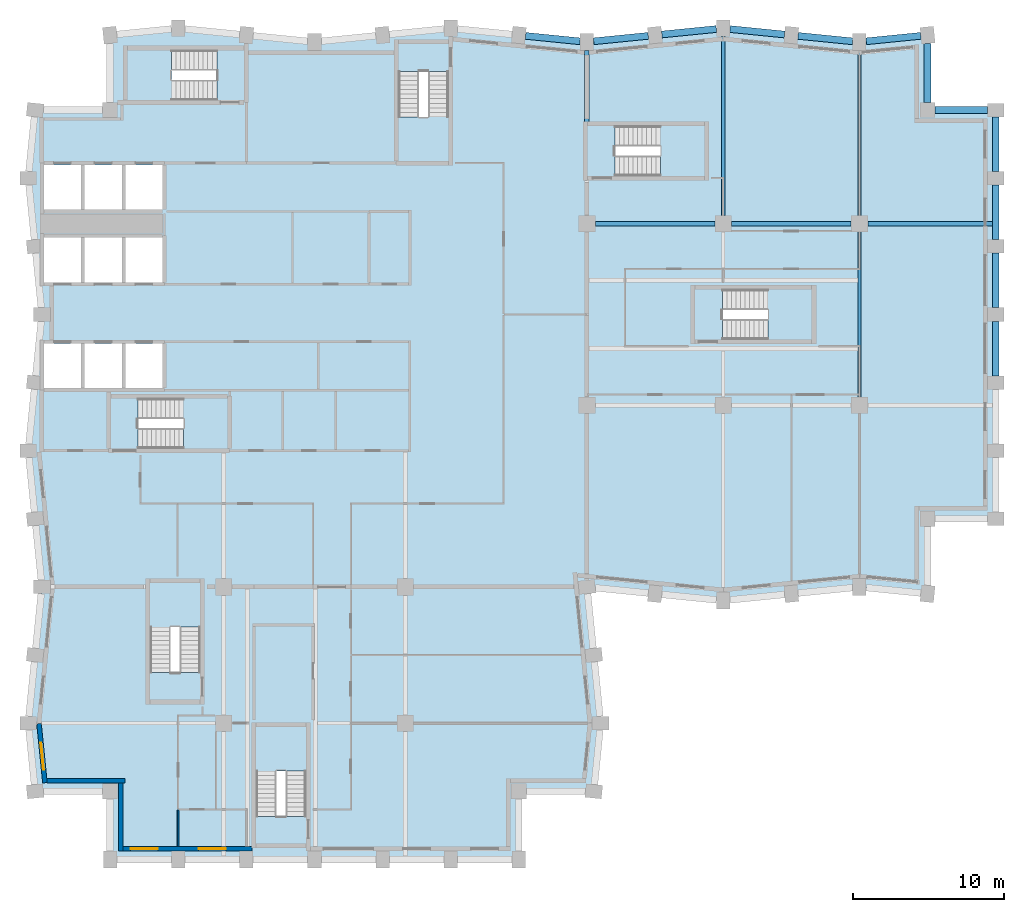
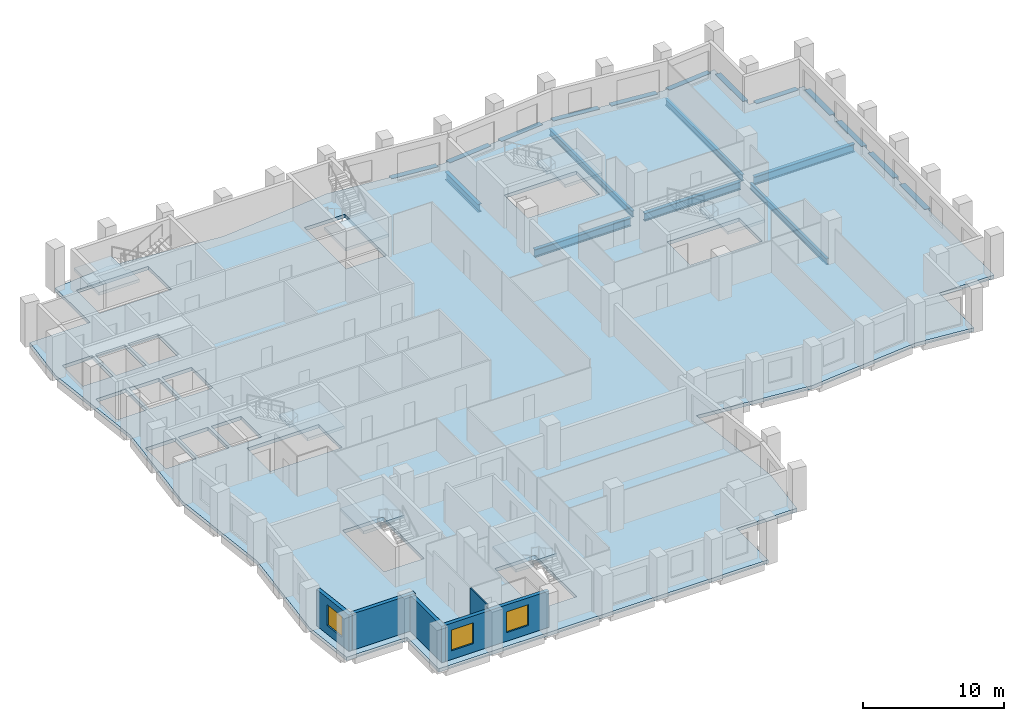
# One storey, part 2 of 10: 19 beams, 8 slabs, 5 walls, 3 windows, 3 openings, 7 elements without a shape of their own.
"""IFC4 building model written with IfcOpenShell, lengths in metres."""

from ifc_helpers import new_model, si_unit, direction, frame, frame_2d, origin, origin_2d, place, context, subcontext, project, spatial, polyline, rectangle, i_section, outline, extrude, material, layer, layer_set, material_profile, profile_set, type_object, element, fill, aggregate, save


model = new_model("IFC4")

# Units and contexts
model_context = context("Model", 3, precision=1e-05, world=origin(), true_north=direction((0.0, 1.0)))
body_context = subcontext(model_context, "Body", "Model", "MODEL_VIEW")
ifc_project = project(units=[si_unit("LENGTHUNIT", "METRE"), si_unit("AREAUNIT", "SQUARE_METRE"), si_unit("VOLUMEUNIT", "CUBIC_METRE"), si_unit("PLANEANGLEUNIT", "RADIAN"), si_unit("MASSUNIT", "GRAM", prefix="KILO")], contexts=[model_context])

# Site, building, storey
site_placement = place(None, origin())
site = spatial("IfcSite", under=ifc_project, at=site_placement, CompositionType="ELEMENT")
building_placement = place(site_placement, origin())
building = spatial("IfcBuilding", under=site, at=building_placement, Name="Brondeck Convention Tower", CompositionType="ELEMENT")
storey_placement = place(building_placement, frame((0.0, 0.0, 162.39990234375)))
storey = spatial("IfcBuildingStorey", under=building, at=storey_placement, Name="L39", CompositionType="ELEMENT", Elevation=162.39990234375)

# Beams
ifc_material_1 = material(Name="Steel S355", Category="steel")
ifc_material_profile_1 = material_profile(ifc_material_1, i_section(OverallWidth=0.2099609375, OverallDepth=0.550048828125, WebThickness=0.010986328125, FlangeThickness=0.01708984375, FilletRadius=0.02392578125, at=origin_2d()), Name="IPE 550")
ifc_profile_set_1 = profile_set([ifc_material_profile_1], Name="Steel S355")
beam_type_1 = type_object("IfcBeamType", Name="Floor beam IPE 550", PredefinedType="BEAM", material=ifc_profile_set_1)
beam_1_placement = place(storey_placement, frame((45.0, 51.550048828125, -0.574951171875), z_axis=(0.0, 1.0, 0.0), x_axis=(-1.0, 0.0, 0.0)))
element("IfcBeam", 1, at=beam_1_placement, inside=storey, type_object=beam_type_1, Name="STR-FB-L39-002", PredefinedType="BEAM", context=body_context, shape_type="SweptSolid", body=[
    extrude(i_section(OverallWidth=0.2099609375, OverallDepth=0.550048828125, WebThickness=0.010986328125, FlangeThickness=0.01708984375, FilletRadius=0.02392578125, at=origin_2d()), origin(), (0.0, 0.0, 1.0), 11.800048828125),
])
for number, where, z_axis, x_axis, name in (
    (2, (54.0, 39.550048828125, -0.574951171875), (0.0, 1.0, 0.0), (-1.0, 0.0, 0.0), "STR-FB-L39-004"),
    (3, (54.0, 51.550048828125, -0.574951171875), (0.0, 1.0, 0.0), (-1.0, 0.0, 0.0), "STR-FB-L39-005"),
):
    element("IfcBeam", number, at=place(storey_placement, frame(where, z_axis=z_axis, x_axis=x_axis)), inside=storey, type_object=beam_type_1, Name=name, PredefinedType="BEAM", context=body_context, shape_type="SweptSolid", body=[
        extrude(i_section(OverallWidth=0.2099609375, OverallDepth=0.550048828125, WebThickness=0.010986328125, FlangeThickness=0.01708984375, FilletRadius=0.02392578125, at=origin_2d()), origin(), (0.0, 0.0, 1.0), 10.89990234375),
    ])
ifc_material_profile_2 = material_profile(ifc_material_1, i_section(OverallWidth=0.300048828125, OverallDepth=0.699951171875, WebThickness=0.01708984375, FlangeThickness=0.031982421875, FilletRadius=0.027099609375, at=origin_2d()), Name="HEB 700")
ifc_profile_set_2 = profile_set([ifc_material_profile_2], Name="Steel S355")
beam_type_2 = type_object("IfcBeamType", Name="Girder HEB 700", PredefinedType="BEAM", material=ifc_profile_set_2)
for number, where, z_axis, x_axis, name in (
    (4, (36.550048828125, 51.0, -0.64990234375), (1.0, 0.0, 0.0), (0.0, 1.0, 0.0), "STR-GR-L39-004"),
    (5, (45.550048828125, 51.0, -0.64990234375), (1.0, 0.0, 0.0), (0.0, 1.0, 0.0), "STR-GR-L39-005"),
):
    element("IfcBeam", number, at=place(storey_placement, frame(where, z_axis=z_axis, x_axis=x_axis)), inside=storey, type_object=beam_type_2, Name=name, PredefinedType="BEAM", context=body_context, shape_type="SweptSolid", body=[
        extrude(i_section(OverallWidth=0.300048828125, OverallDepth=0.699951171875, WebThickness=0.01708984375, FlangeThickness=0.031982421875, FilletRadius=0.027099609375, at=origin_2d()), origin(), (0.0, 0.0, 1.0), 7.89990234375),
    ])
beam_2_placement = place(storey_placement, frame((54.550048828125, 51.0, -0.64990234375), z_axis=(1.0, 0.0, 0.0), x_axis=(0.0, 1.0, 0.0)))
element("IfcBeam", 6, at=beam_2_placement, inside=storey, type_object=beam_type_2, Name="STR-GR-L39-006", PredefinedType="BEAM", context=body_context, shape_type="SweptSolid", body=[
    extrude(i_section(OverallWidth=0.300048828125, OverallDepth=0.699951171875, WebThickness=0.01708984375, FlangeThickness=0.031982421875, FilletRadius=0.027099609375, at=origin_2d()), origin(), (0.0, 0.0, 1.0), 8.224853515625),
])
beam_3_placement = place(storey_placement, frame((36.0, 57.719970703125, -0.64990234375), z_axis=(0.0, 1.0, 0.0), x_axis=(-1.0, 0.0, 0.0)))
element("IfcBeam", 7, at=beam_3_placement, inside=storey, type_object=beam_type_2, Name="STR-GR-L39-010", PredefinedType="BEAM", context=body_context, shape_type="SweptSolid", body=[
    extrude(i_section(OverallWidth=0.300048828125, OverallDepth=0.699951171875, WebThickness=0.01708984375, FlangeThickness=0.031982421875, FilletRadius=0.027099609375, at=origin_2d()), origin(), (0.0, 0.0, 1.0), 4.72998046875),
])
ifc_material_2 = material(Name="Concrete C70/85", Category="concrete")
ifc_material_profile_3 = material_profile(ifc_material_2, rectangle(XDim=0.449951171875, YDim=0.64990234375, at=origin_2d()), Name="Precast spandrel 450x650 Concrete C70/85")
ifc_profile_set_3 = profile_set([ifc_material_profile_3], Name="Concrete C70/85")
beam_type_3 = type_object("IfcBeamType", Name="Precast spandrel 450x650 Concrete C70/85", PredefinedType="SPANDREL", material=ifc_profile_set_3)
for number, where, z_axis, x_axis, name in (
    (8, (63.0, 40.949951171875, -0.324951171875), (0.0, 1.0, 0.0), (-1.0, 0.0, 0.0), "STR-SP-L39-021"),
    (9, (63.0, 45.449951171875, -0.324951171875), (0.0, 1.0, 0.0), (-1.0, 0.0, 0.0), "STR-SP-L39-022"),
    (10, (63.0, 49.949951171875, -0.324951171875), (0.0, 1.0, 0.0), (-1.0, 0.0, 0.0), "STR-SP-L39-023"),
    (11, (63.0, 54.449951171875, -0.324951171875), (0.0, 1.0, 0.0), (-1.0, 0.0, 0.0), "STR-SP-L39-024"),
):
    element("IfcBeam", number, at=place(storey_placement, frame(where, z_axis=z_axis, x_axis=x_axis)), inside=storey, type_object=beam_type_3, Name=name, PredefinedType="SPANDREL", context=body_context, shape_type="SweptSolid", body=[
        extrude(rectangle(XDim=0.449951171875, YDim=0.64990234375, at=origin_2d()), origin(), (0.0, 0.0, 1.0), 3.60009765625),
    ])
beam_4_placement = place(storey_placement, frame((62.449951171875, 58.5, -0.324951171875), z_axis=(-1.0, 0.0, 0.0), x_axis=(0.0, -1.0, 0.0)))
element("IfcBeam", 12, at=beam_4_placement, inside=storey, type_object=beam_type_3, Name="STR-SP-L39-025", PredefinedType="SPANDREL", context=body_context, shape_type="SweptSolid", body=[
    extrude(rectangle(XDim=0.449951171875, YDim=0.64990234375, at=origin_2d()), origin(), (0.0, 0.0, 1.0), 3.449951171875),
])
beam_5_placement = place(storey_placement, frame((58.5, 59.0, -0.324951171875), z_axis=(0.0, 1.0, 0.0), x_axis=(-1.0, 0.0, 0.0)))
element("IfcBeam", 13, at=beam_5_placement, inside=storey, type_object=beam_type_3, Name="STR-SP-L39-026", PredefinedType="SPANDREL", context=body_context, shape_type="SweptSolid", body=[
    extrude(rectangle(XDim=0.449951171875, YDim=0.64990234375, at=origin_2d()), origin(), (0.0, 0.0, 1.0), 3.897216796875),
])
for number, where, z_axis, x_axis, name in (
    (14, (58.05224609375, 63.4052734375, -0.324951171875), (-0.995033851182, -0.099537103649, 0.0), (0.099537103649, -0.995033851182, 0.0), "STR-SP-L39-027"),
    (15, (53.550048828125, 63.044921875, -0.324951171875), (-0.995033851182, 0.099537103649, 0.0), (-0.099537103649, -0.995033851182, 0.0), "STR-SP-L39-028"),
    (16, (49.05224609375, 63.494873046875, -0.324951171875), (-0.995040528141, 0.099470334057, 0.0), (-0.099470334057, -0.995040528141, 0.0), "STR-SP-L39-029"),
    (17, (44.550048828125, 63.85498046875, -0.324951171875), (-0.995040528141, -0.099470334057, 0.0), (0.099470334057, -0.995040528141, 0.0), "STR-SP-L39-030"),
    (18, (40.05224609375, 63.4052734375, -0.324951171875), (-0.995033851182, -0.099537103649, 0.0), (0.099537103649, -0.995033851182, 0.0), "STR-SP-L39-031"),
    (19, (35.550048828125, 63.044921875, -0.324951171875), (-0.995033851182, 0.099537103649, 0.0), (-0.099537103649, -0.995033851182, 0.0), "STR-SP-L39-032"),
):
    element("IfcBeam", number, at=place(storey_placement, frame(where, z_axis=z_axis, x_axis=x_axis)), inside=storey, type_object=beam_type_3, Name=name, PredefinedType="SPANDREL", context=body_context, shape_type="SweptSolid", body=[
        extrude(rectangle(XDim=0.449951171875, YDim=0.64990234375, at=origin_2d()), origin(), (0.0, 0.0, 1.0), 3.620361328125),
    ])

# Slab
ifc_material_3 = material(Name="Concrete C35/45", Category="concrete")
ifc_layer_1 = layer(ifc_material_3, 0.300048828125)
ifc_layer_set_1 = layer_set([ifc_layer_1], Name="Composite floor slab 300")
slab_type_1 = type_object("IfcSlabType", Name="Composite floor slab 300", PredefinedType="FLOOR", material=ifc_layer_set_1)
slab_1_placement = place(storey_placement, frame((0.0, 0.0, -0.2998046875)))
element("IfcSlab", 20, at=slab_1_placement, inside=storey, type_object=slab_type_1, Name="STR-SL-L39", PredefinedType="FLOOR", context=body_context, shape_type="SweptSolid", body=[
    extrude(outline(polyline([(4.5, 13.5), (-0.449951171875, 13.5), (-0.89990234375, 18.0), (0.0, 27.0), (-0.89990234375, 36.0), (0.0, 45.0), (-0.89990234375, 54.0), (-0.449951171875, 58.5), (4.5, 58.5), (4.5, 63.449951171875), (9.0, 63.89990234375), (18.0, 63.0), (27.0, 63.89990234375), (36.0, 63.0), (45.0, 63.89990234375), (54.0, 63.0), (58.5, 63.449951171875), (58.5, 58.5), (63.0, 58.5), (63.0, 31.5), (58.5, 31.5), (58.5, 26.550048828125), (54.0, 27.0), (45.0, 26.10009765625), (36.0, 27.0), (36.89990234375, 18.0), (36.449951171875, 13.5), (31.5, 13.5), (31.5, 9.0), (4.5, 9.0), (4.5, 13.5)]), holes=[polyline([(2.574951171875, 40.125), (2.574951171875, 43.074951171875), (0.125, 43.074951171875), (0.125, 40.125), (2.574951171875, 40.125)]), polyline([(5.27490234375, 40.125), (5.27490234375, 43.074951171875), (2.824951171875, 43.074951171875), (2.824951171875, 40.125), (5.27490234375, 40.125)]), polyline([(7.97509765625, 40.125), (7.97509765625, 43.074951171875), (5.52490234375, 43.074951171875), (5.52490234375, 40.125), (7.97509765625, 40.125)]), polyline([(2.574951171875, 47.125), (2.574951171875, 50.074951171875), (0.125, 50.074951171875), (0.125, 47.125), (2.574951171875, 47.125)]), polyline([(5.27490234375, 47.125), (5.27490234375, 50.074951171875), (2.824951171875, 50.074951171875), (2.824951171875, 47.125), (5.27490234375, 47.125)]), polyline([(7.97509765625, 47.125), (7.97509765625, 50.074951171875), (5.52490234375, 50.074951171875), (5.52490234375, 47.125), (7.97509765625, 47.125)]), polyline([(2.574951171875, 51.925048828125), (2.574951171875, 54.875), (0.125, 54.875), (0.125, 51.925048828125), (2.574951171875, 51.925048828125)]), polyline([(5.27490234375, 51.925048828125), (5.27490234375, 54.875), (2.824951171875, 54.875), (2.824951171875, 51.925048828125), (5.27490234375, 51.925048828125)]), polyline([(17.447998046875, 17.748046875), (14.152099609375, 17.748046875), (14.152099609375, 11.85205078125), (17.447998046875, 11.85205078125), (17.447998046875, 17.748046875)]), polyline([(10.447998046875, 27.248046875), (7.152099609375, 27.248046875), (7.152099609375, 21.35205078125), (10.447998046875, 21.35205078125), (10.447998046875, 27.248046875)]), polyline([(12.248046875, 36.152099609375), (12.248046875, 39.447998046875), (6.35205078125, 39.447998046875), (6.35205078125, 36.152099609375), (12.248046875, 36.152099609375)]), polyline([(50.847900390625, 43.35205078125), (50.847900390625, 46.64794921875), (44.951904296875, 46.64794921875), (44.951904296875, 43.35205078125), (50.847900390625, 43.35205078125)]), polyline([(7.97509765625, 51.925048828125), (7.97509765625, 54.875), (5.52490234375, 54.875), (5.52490234375, 51.925048828125), (7.97509765625, 51.925048828125)]), polyline([(43.748046875, 54.152099609375), (43.748046875, 57.447998046875), (37.85205078125, 57.447998046875), (37.85205078125, 54.152099609375), (43.748046875, 54.152099609375)]), polyline([(23.552001953125, 55.152099609375), (26.847900390625, 55.152099609375), (26.847900390625, 61.048095703125), (23.552001953125, 61.048095703125), (23.552001953125, 55.152099609375)]), polyline([(5.652099609375, 62.447998046875), (5.652099609375, 59.152099609375), (11.548095703125, 59.152099609375), (11.548095703125, 62.447998046875), (5.652099609375, 62.447998046875)])]), origin(), (0.0, 0.0, 1.0), 0.2998046875),
])

# Stair, slab
ifc_material_4 = material(Name="Precast concrete C50/60", Category="concrete")
stair_type = type_object("IfcStairType", Name="Core stair 22 risers 172.73 mm riser 300 mm going 1350 wide", PredefinedType="HALF_TURN_STAIR", material=ifc_material_4)
stair_1_placement = place(storey_placement, origin())
stair_1 = element("IfcStair", 21, at=stair_1_placement, inside=storey, type_object=stair_type, Name="ST-1 L39 stair", PredefinedType="HALF_TURN_STAIR")
ifc_layer_2 = layer(ifc_material_4, 0.25)
ifc_layer_set_2 = layer_set([ifc_layer_2], Name="Core stair landing 250 Precast concrete C50/60")
slab_type_2 = type_object("IfcSlabType", Name="Core stair landing 250 Precast concrete C50/60", PredefinedType="LANDING", material=ifc_layer_set_2)
slab_2_placement = place(storey_placement, frame((0.0, 0.0, 1.650146484375)))
slab_2 = element("IfcSlab", 22, at=slab_2_placement, type_object=slab_type_2, Name="ST-1 landing 1", PredefinedType="LANDING", context=body_context, shape_type="SweptSolid", body=[
    extrude(outline(polyline([(9.347900390625, 37.5), (9.35009765625, 37.5), (9.35009765625, 38.10009765625), (9.050048828125, 38.10009765625), (9.050048828125, 39.570068359375), (12.3701171875, 39.570068359375), (12.3701171875, 36.030029296875), (9.347900390625, 36.030029296875), (9.347900390625, 37.5)])), origin(), (0.0, 0.0, 1.0), 0.25),
])
aggregate(stair_1, [slab_2])

stair_2_placement = place(storey_placement, origin())
stair_2 = element("IfcStair", 23, at=stair_2_placement, inside=storey, type_object=stair_type, Name="ST-2 L39 stair", PredefinedType="HALF_TURN_STAIR")
slab_3_placement = place(storey_placement, frame((0.0, 0.0, 1.650146484375)))
slab_3 = element("IfcSlab", 24, at=slab_3_placement, type_object=slab_type_2, Name="ST-2 landing 1", PredefinedType="LANDING", context=body_context, shape_type="SweptSolid", body=[
    extrude(outline(polyline([(23.429931640625, 58.052001953125), (24.89990234375, 58.052001953125), (24.89990234375, 58.050048828125), (25.5, 58.050048828125), (25.5, 58.35009765625), (26.969970703125, 58.35009765625), (26.969970703125, 55.030029296875), (23.429931640625, 55.030029296875), (23.429931640625, 58.052001953125)])), origin(), (0.0, 0.0, 1.0), 0.25),
])
aggregate(stair_2, [slab_3])

stair_3_placement = place(storey_placement, origin())
stair_3 = element("IfcStair", 25, at=stair_3_placement, inside=storey, type_object=stair_type, Name="ST-3 L39 stair", PredefinedType="HALF_TURN_STAIR")
slab_4_placement = place(storey_placement, frame((0.0, 0.0, 1.650146484375)))
slab_4 = element("IfcSlab", 26, at=slab_4_placement, type_object=slab_type_2, Name="ST-3 landing 1", PredefinedType="LANDING", context=body_context, shape_type="SweptSolid", body=[
    extrude(outline(polyline([(8.85009765625, 60.5), (8.85009765625, 59.030029296875), (5.530029296875, 59.030029296875), (5.530029296875, 62.570068359375), (8.552001953125, 62.570068359375), (8.552001953125, 61.10009765625), (8.550048828125, 61.10009765625), (8.550048828125, 60.5), (8.85009765625, 60.5)])), origin(), (0.0, 0.0, 1.0), 0.25),
])
aggregate(stair_3, [slab_4])

stair_4_placement = place(storey_placement, origin())
stair_4 = element("IfcStair", 27, at=stair_4_placement, inside=storey, type_object=stair_type, Name="ST-AE L39 stair", PredefinedType="HALF_TURN_STAIR")
slab_5_placement = place(storey_placement, frame((0.0, 0.0, 1.650146484375)))
slab_5 = element("IfcSlab", 28, at=slab_5_placement, type_object=slab_type_2, Name="ST-AE landing 1", PredefinedType="LANDING", context=body_context, shape_type="SweptSolid", body=[
    extrude(outline(polyline([(40.847900390625, 55.5), (40.85009765625, 55.5), (40.85009765625, 56.10009765625), (40.550048828125, 56.10009765625), (40.550048828125, 57.570068359375), (43.8701171875, 57.570068359375), (43.8701171875, 54.030029296875), (40.847900390625, 54.030029296875), (40.847900390625, 55.5)])), origin(), (0.0, 0.0, 1.0), 0.25),
])
aggregate(stair_4, [slab_5])

stair_5_placement = place(storey_placement, origin())
stair_5 = element("IfcStair", 29, at=stair_5_placement, inside=storey, type_object=stair_type, Name="ST-BE L39 stair", PredefinedType="HALF_TURN_STAIR")
slab_6_placement = place(storey_placement, frame((0.0, 0.0, 1.650146484375)))
slab_6 = element("IfcSlab", 30, at=slab_6_placement, type_object=slab_type_2, Name="ST-BE landing 1", PredefinedType="LANDING", context=body_context, shape_type="SweptSolid", body=[
    extrude(outline(polyline([(7.030029296875, 24.050048828125), (7.030029296875, 27.3701171875), (10.570068359375, 27.3701171875), (10.570068359375, 24.347900390625), (9.10009765625, 24.347900390625), (9.10009765625, 24.35009765625), (8.5, 24.35009765625), (8.5, 24.050048828125), (7.030029296875, 24.050048828125)])), origin(), (0.0, 0.0, 1.0), 0.25),
])
aggregate(stair_5, [slab_6])

stair_6_placement = place(storey_placement, origin())
stair_6 = element("IfcStair", 31, at=stair_6_placement, inside=storey, type_object=stair_type, Name="ST-AF L39 stair", PredefinedType="HALF_TURN_STAIR")
slab_7_placement = place(storey_placement, frame((0.0, 0.0, 1.650146484375)))
slab_7 = element("IfcSlab", 32, at=slab_7_placement, type_object=slab_type_2, Name="ST-AF landing 1", PredefinedType="LANDING", context=body_context, shape_type="SweptSolid", body=[
    extrude(outline(polyline([(47.947998046875, 44.699951171875), (47.949951171875, 44.699951171875), (47.949951171875, 45.300048828125), (47.64990234375, 45.300048828125), (47.64990234375, 46.77001953125), (50.969970703125, 46.77001953125), (50.969970703125, 43.22998046875), (47.947998046875, 43.22998046875), (47.947998046875, 44.699951171875)])), origin(), (0.0, 0.0, 1.0), 0.25),
])
aggregate(stair_6, [slab_7])

stair_7_placement = place(storey_placement, origin())
stair_7 = element("IfcStair", 33, at=stair_7_placement, inside=storey, type_object=stair_type, Name="ST-BF L39 stair", PredefinedType="HALF_TURN_STAIR")
slab_8_placement = place(storey_placement, frame((0.0, 0.0, 1.650146484375)))
slab_8 = element("IfcSlab", 34, at=slab_8_placement, type_object=slab_type_2, Name="ST-BF landing 1", PredefinedType="LANDING", context=body_context, shape_type="SweptSolid", body=[
    extrude(outline(polyline([(14.030029296875, 14.550048828125), (14.030029296875, 17.8701171875), (17.570068359375, 17.8701171875), (17.570068359375, 14.847900390625), (16.10009765625, 14.847900390625), (16.10009765625, 14.85009765625), (15.5, 14.85009765625), (15.5, 14.550048828125), (14.030029296875, 14.550048828125)])), origin(), (0.0, 0.0, 1.0), 0.25),
])
aggregate(stair_7, [slab_8])

# Wall, openings, windows
ifc_material_5 = material(Name="Precast concrete C50/60 bronze finish", Category="concrete")
ifc_layer_3 = layer(ifc_material_5, 0.070068359375, Name="Bronze precast facing")
ifc_material_6 = material(Name="Mineral wool")
ifc_layer_4 = layer(ifc_material_6, 0.159912109375, Name="Insulation")
ifc_layer_5 = layer(ifc_material_3, 0.070068359375, Name="Backing")
ifc_layer_set_3 = layer_set([ifc_layer_3, ifc_layer_4, ifc_layer_5], Name="External infill wall, precast concrete C50/60 bronze facing")
wall_type_1 = type_object("IfcWallType", Name="External infill wall, precast concrete C50/60 bronze facing", PredefinedType="SOLIDWALL", material=ifc_layer_set_3)
wall_1_placement = place(storey_placement, frame((13.860107421875, 9.699951171875, 0.0), z_axis=(0.0, 0.0, 1.0), x_axis=(-1.0, 0.0, 0.0)))
wall_1 = element("IfcWall", 35, at=wall_1_placement, inside=storey, type_object=wall_type_1, Name="ENV-EW-L39-P1-B-S9-01", PredefinedType="SOLIDWALL", context=body_context, shape_type="SweptSolid", body=[
    extrude(rectangle(XDim=8.510009765625, YDim=0.300048828125, at=frame_2d((4.2548828125, 0.0))), origin(), (0.0, 0.0, 1.0), 3.150146484375),
])
opening_1_placement = place(wall_1_placement, frame((1.7099609375, 0.0, 0.75)))
opening_1 = element("IfcOpeningElement", 36, at=opening_1_placement, cuts=wall_1, Name="Opening W10", PredefinedType="OPENING", context=body_context, shape_type="SweptSolid", body=[
    extrude(rectangle(XDim=1.800048828125, YDim=1.800048828125, at=frame_2d((0.89990234375, 0.89990234375))), frame((0.0, 0.159912109375, 0.0), z_axis=(0.0, -1.0, 0.0), x_axis=(1.0, 0.0, 0.0)), (0.0, 0.0, 1.0), 0.320068359375),
])
opening_2_placement = place(wall_1_placement, frame((6.2099609375, 0.0, 0.75)))
opening_2 = element("IfcOpeningElement", 37, at=opening_2_placement, cuts=wall_1, Name="Opening W10", PredefinedType="OPENING", context=body_context, shape_type="SweptSolid", body=[
    extrude(rectangle(XDim=1.800048828125, YDim=1.800048828125, at=frame_2d((0.89990234375, 0.89990234375))), frame((0.0, 0.159912109375, 0.0), z_axis=(0.0, -1.0, 0.0), x_axis=(1.0, 0.0, 0.0)), (0.0, 0.0, 1.0), 0.320068359375),
])
ifc_material_7 = material(Name="Bronze tinted double glazing", Category="glass")
window_type = type_object("IfcWindowType", Name="Punched window, bronze tinted", PartitioningType="SINGLE_PANEL", PredefinedType="WINDOW", material=ifc_material_7)
window_1_placement = place(opening_1_placement, origin())
window_1 = element("IfcWindow", 38, at=window_1_placement, inside=storey, type_object=window_type, Name="ENV-WN-L39-P1-B-S9-02", OverallHeight=1.800048828125, OverallWidth=1.800048828125, PartitioningType="SINGLE_PANEL", PredefinedType="WINDOW", context=body_context, shape_type="SweptSolid", body=[
    extrude(rectangle(XDim=1.800048828125, YDim=1.800048828125, at=frame_2d((0.89990234375, 0.89990234375))), frame((0.0, 0.030029296875, 0.0), z_axis=(0.0, -1.0, 0.0), x_axis=(1.0, 0.0, 0.0)), (0.0, 0.0, 1.0), 0.06005859375),
])
fill(opening_1, window_1)
window_2_placement = place(opening_2_placement, origin())
window_2 = element("IfcWindow", 39, at=window_2_placement, inside=storey, type_object=window_type, Name="ENV-WN-L39-P1-B-S9-01", OverallHeight=1.800048828125, OverallWidth=1.800048828125, PartitioningType="SINGLE_PANEL", PredefinedType="WINDOW", context=body_context, shape_type="SweptSolid", body=[
    extrude(rectangle(XDim=1.800048828125, YDim=1.800048828125, at=frame_2d((0.89990234375, 0.89990234375))), frame((0.0, 0.030029296875, 0.0), z_axis=(0.0, -1.0, 0.0), x_axis=(1.0, 0.0, 0.0)), (0.0, 0.0, 1.0), 0.06005859375),
])
fill(opening_2, window_2)

# Wall, opening, window
wall_2_placement = place(storey_placement, frame((0.197021484375, 14.06494140625, 0.0), z_axis=(0.0, 0.0, 1.0), x_axis=(-0.099528354722, 0.995034726332, 0.0)))
wall_2 = element("IfcWall", 40, at=wall_2_placement, inside=storey, type_object=wall_type_1, Name="ENV-EW-L39-P1-B-W-10", PredefinedType="SOLIDWALL", context=body_context, shape_type="SweptSolid", body=[
    extrude(rectangle(XDim=3.9248046875, YDim=0.300048828125, at=frame_2d((1.96240234375, 0.0))), origin(), (0.0, 0.0, 1.0), 3.150146484375),
])
opening_3_placement = place(wall_2_placement, frame((0.863525390625, 0.0, 0.75)))
opening_3 = element("IfcOpeningElement", 41, at=opening_3_placement, cuts=wall_2, Name="Opening W10", PredefinedType="OPENING", context=body_context, shape_type="SweptSolid", body=[
    extrude(rectangle(XDim=1.800048828125, YDim=1.800048828125, at=frame_2d((0.89990234375, 0.89990234375))), frame((0.0, 0.159912109375, 0.0), z_axis=(0.0, -1.0, 0.0), x_axis=(1.0, 0.0, 0.0)), (0.0, 0.0, 1.0), 0.320068359375),
])
window_3_placement = place(opening_3_placement, origin())
window_3 = element("IfcWindow", 42, at=window_3_placement, inside=storey, type_object=window_type, Name="ENV-WN-L39-P1-B-W-10", OverallHeight=1.800048828125, OverallWidth=1.800048828125, PartitioningType="SINGLE_PANEL", PredefinedType="WINDOW", context=body_context, shape_type="SweptSolid", body=[
    extrude(rectangle(XDim=1.800048828125, YDim=1.800048828125, at=frame_2d((0.89990234375, 0.89990234375))), frame((0.0, 0.030029296875, 0.0), z_axis=(0.0, -1.0, 0.0), x_axis=(1.0, 0.0, 0.0)), (0.0, 0.0, 1.0), 0.06005859375),
])
fill(opening_3, window_3)

# Walls
wall_3_placement = place(storey_placement, frame((5.5, 14.199951171875, 0.0), z_axis=(0.0, 0.0, 1.0), x_axis=(-1.0, 0.0, 0.0)))
element("IfcWall", 43, at=wall_3_placement, inside=storey, type_object=wall_type_1, Name="ENV-EW-L39-P1-NC-SWB9-01", PredefinedType="SOLIDWALL", context=body_context, shape_type="SweptSolid", body=[
    extrude(rectangle(XDim=5.16455078125, YDim=0.300048828125, at=frame_2d((2.582275390625, 0.0))), origin(), (0.0, 0.0, 1.0), 3.150146484375),
])
wall_4_placement = place(storey_placement, frame((5.199951171875, 9.550048828125, 0.0), z_axis=(0.0, 0.0, 1.0), x_axis=(0.0, 1.0, 0.0)))
element("IfcWall", 44, at=wall_4_placement, inside=storey, type_object=wall_type_1, Name="ENV-EW-L39-P1-NC-SWB9-02", PredefinedType="SOLIDWALL", context=body_context, shape_type="SweptSolid", body=[
    extrude(rectangle(XDim=4.501953125, YDim=0.300048828125, at=frame_2d((2.2509765625, 0.0))), origin(), (0.0, 0.0, 1.0), 3.150146484375),
])
ifc_material_8 = material(Name="Gypsum board partition on steel studs", Category="steel")
ifc_layer_6 = layer(ifc_material_8, 0.10009765625)
ifc_layer_set_4 = layer_set([ifc_layer_6], Name="Room partition 100")
wall_type_2 = type_object("IfcWallType", Name="Room partition 100", PredefinedType="PARTITIONING", material=ifc_layer_set_4)
wall_5_placement = place(storey_placement, frame((9.0, 9.8701171875, 0.0), z_axis=(0.0, 0.0, 1.0), x_axis=(0.0, 1.0, 0.0)))
element("IfcWall", 45, at=wall_5_placement, inside=storey, type_object=wall_type_2, Name="FLR-L39-W001", PredefinedType="PARTITIONING", context=body_context, shape_type="SweptSolid", body=[
    extrude(rectangle(XDim=2.3798828125, YDim=0.10009765625, at=frame_2d((1.18994140625, 0.0))), origin(), (0.0, 0.0, 1.0), 3.47998046875),
])

save(model, "model.ifc")
